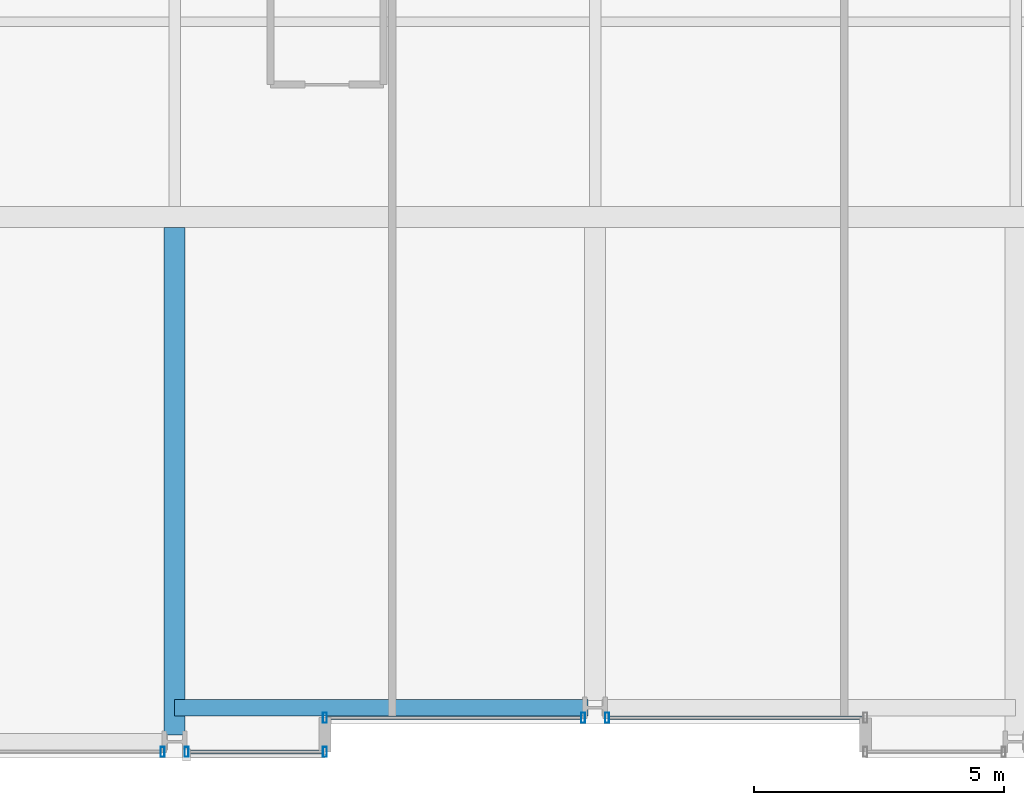
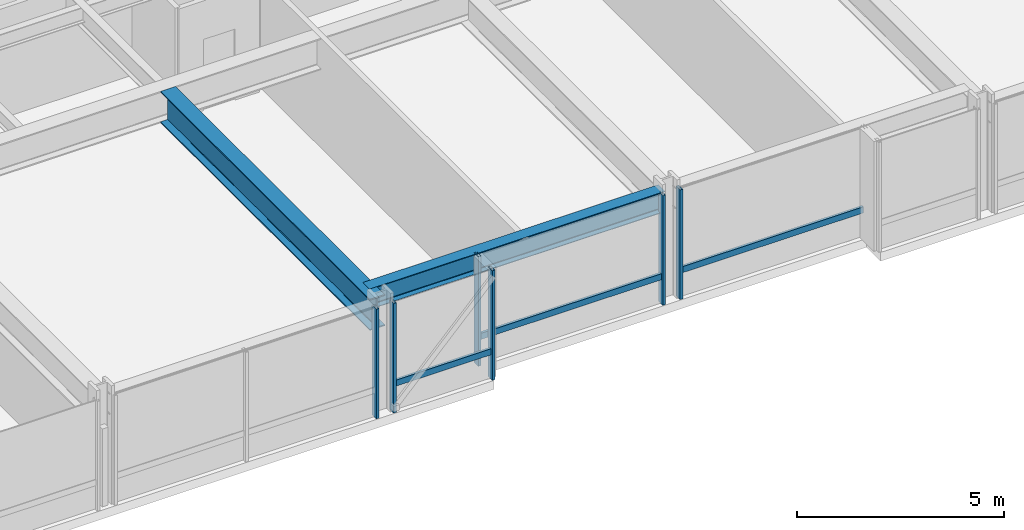
# One storey, part 5 of 38: 9 members, 2 beams, 4 elements without a shape of their own.
"""IFC4 building model written with IfcOpenShell, lengths in metres."""

from ifc_helpers import new_model, si_unit, direction, frame, origin, origin_2d, place, context, subcontext, project, spatial, hollow_rectangle, i_section, extrude, material, layer, layer_set, material_profile, profile_set, type_object, element, aggregate, save


model = new_model("IFC4")

# Units and contexts
model_context = context("Model", 3, precision=1e-05, world=origin(), true_north=direction((0.0, 1.0)))
body_context = subcontext(model_context, "Body", "Model", "MODEL_VIEW")
ifc_project = project(units=[si_unit("LENGTHUNIT", "METRE"), si_unit("AREAUNIT", "SQUARE_METRE"), si_unit("VOLUMEUNIT", "CUBIC_METRE"), si_unit("PLANEANGLEUNIT", "RADIAN"), si_unit("MASSUNIT", "GRAM", prefix="KILO")], contexts=[model_context])

# Site, building, storey
site_placement = place(None, origin())
site = spatial("IfcSite", under=ifc_project, at=site_placement, CompositionType="ELEMENT")
building_placement = place(site_placement, origin())
building = spatial("IfcBuilding", under=site, at=building_placement, Name="Drelvath Grand Hotel", CompositionType="ELEMENT")
storey_placement = place(building_placement, frame((0.0, 0.0, 47.199951171875)))
storey = spatial("IfcBuildingStorey", under=building, at=storey_placement, Name="L10", CompositionType="ELEMENT", Elevation=47.199951171875)

# Curtain wall, member
ifc_material_1 = material(Name="Warm Bronze Anodised Aluminium Frame", Category="aluminium")
ifc_layer = layer(ifc_material_1, 0.199951171875)
ifc_layer_set = layer_set([ifc_layer], Name="Warm Bronze Anodised Aluminium Frame")
curtain_wall_type = type_object("IfcCurtainWallType", Name="Stick Curtain Wall CW-02 Warm Bronze Low-Rise", PredefinedType="NOTDEFINED", material=ifc_layer_set)
curtain_wall_1_placement = place(storey_placement, origin())
curtain_wall_1 = element("IfcCurtainWall", 1, at=curtain_wall_1_placement, inside=storey, type_object=curtain_wall_type, Name="L10 CW-02 Curtain Wall CW02-L10-SM1", PredefinedType="NOTDEFINED")
ifc_material_profile_1 = material_profile(ifc_material_1, hollow_rectangle(XDim=0.074951171875, YDim=0.179931640625, WallThickness=0.0048828125, at=origin_2d()), Name="HSS180X75X5")
ifc_profile_set_1 = profile_set([ifc_material_profile_1], Name="Warm Bronze Anodised Aluminium Frame")
member_type_1 = type_object("IfcMemberType", Name="Curtain Wall Horizontal Transom CW-02 HSS180X75X5", PredefinedType="USERDEFINED", material=ifc_profile_set_1)
member_1_placement = place(storey_placement, frame((-0.281005859375, 0.800048828125, 0.81005859375), z_axis=(-1.0, 0.0, 0.0), x_axis=(0.0, -1.0, 0.0)))
member_1 = element("IfcMember", 2, at=member_1_placement, type_object=member_type_1, Name="CW02-L10-SM1 Sill Transom", ObjectType="TRANSOM", PredefinedType="USERDEFINED", context=body_context, shape_type="SweptSolid", body=[
    extrude(hollow_rectangle(XDim=0.074951171875, YDim=0.179931640625, WallThickness=0.0048828125, at=origin_2d()), origin(), (0.0, 0.0, 1.0), 5.0791015625),
])

curtain_wall_2_placement = place(storey_placement, origin())
curtain_wall_2 = element("IfcCurtainWall", 3, at=curtain_wall_2_placement, inside=storey, type_object=curtain_wall_type, Name="L10 CW-02 Curtain Wall CW02-L10-SM2", PredefinedType="NOTDEFINED")
member_2_placement = place(storey_placement, frame((5.360107421875, 0.800048828125, 0.81005859375), z_axis=(-1.0, 0.0, 0.0), x_axis=(0.0, -1.0, 0.0)))
member_2 = element("IfcMember", 4, at=member_2_placement, type_object=member_type_1, Name="CW02-L10-SM2 Sill Transom", ObjectType="TRANSOM", PredefinedType="USERDEFINED", context=body_context, shape_type="SweptSolid", body=[
    extrude(hollow_rectangle(XDim=0.074951171875, YDim=0.179931640625, WallThickness=0.0048828125, at=origin_2d()), origin(), (0.0, 0.0, 1.0), 5.0791015625),
])

curtain_wall_3_placement = place(storey_placement, origin())
curtain_wall_3 = element("IfcCurtainWall", 5, at=curtain_wall_3_placement, inside=storey, type_object=curtain_wall_type, Name="L10 CW-02 Curtain Wall CW02-L10-SW3", PredefinedType="NOTDEFINED")
member_3_placement = place(storey_placement, frame((-5.43994140625, 0.1201171875, 0.81005859375), z_axis=(-1.0, 0.0, 0.0), x_axis=(0.0, -1.0, 0.0)))
member_3 = element("IfcMember", 6, at=member_3_placement, type_object=member_type_1, Name="CW02-L10-SW3 Sill Transom", ObjectType="TRANSOM", PredefinedType="USERDEFINED", context=body_context, shape_type="SweptSolid", body=[
    extrude(hollow_rectangle(XDim=0.074951171875, YDim=0.179931640625, WallThickness=0.0048828125, at=origin_2d()), origin(), (0.0, 0.0, 1.0), 2.67919921875),
])

# Member
ifc_material_profile_2 = material_profile(ifc_material_1, hollow_rectangle(XDim=0.080078125, YDim=0.199951171875, WallThickness=0.0048828125, at=origin_2d()), Name="HSS200X80X5")
ifc_profile_set_2 = profile_set([ifc_material_profile_2], Name="Warm Bronze Anodised Aluminium Frame")
member_type_2 = type_object("IfcMemberType", Name="Curtain Wall Vertical Mullion CW-02 HSS200X80X5", PredefinedType="MULLION", material=ifc_profile_set_2)
member_4_placement = place(storey_placement, frame((-0.240966796875, 0.800048828125, 0.0), z_axis=(0.0, 0.0, 1.0), x_axis=(1.0, 0.0, 0.0)))
member_4 = element("IfcMember", 7, at=member_4_placement, type_object=member_type_2, Name="CW02-L10-SM1 Mullion 1", PredefinedType="MULLION", context=body_context, shape_type="SweptSolid", body=[
    extrude(hollow_rectangle(XDim=0.080078125, YDim=0.199951171875, WallThickness=0.0048828125, at=origin_2d()), origin(), (0.0, 0.0, 1.0), 3.239990234375),
])

member_5_placement = place(storey_placement, frame((-5.39990234375, 0.800048828125, 0.0), z_axis=(0.0, 0.0, 1.0), x_axis=(1.0, 0.0, 0.0)))
member_5 = element("IfcMember", 8, at=member_5_placement, type_object=member_type_2, Name="CW02-L10-SM1 Mullion 2", PredefinedType="MULLION", context=body_context, shape_type="SweptSolid", body=[
    extrude(hollow_rectangle(XDim=0.080078125, YDim=0.199951171875, WallThickness=0.0048828125, at=origin_2d()), origin(), (0.0, 0.0, 1.0), 3.239990234375),
])

aggregate(curtain_wall_1, [member_4, member_5, member_1])

member_6_placement = place(storey_placement, frame((0.240966796875, 0.800048828125, 0.0), z_axis=(0.0, 0.0, 1.0), x_axis=(1.0, 0.0, 0.0)))
member_6 = element("IfcMember", 9, at=member_6_placement, type_object=member_type_2, Name="CW02-L10-SM2 Mullion 2", PredefinedType="MULLION", context=body_context, shape_type="SweptSolid", body=[
    extrude(hollow_rectangle(XDim=0.080078125, YDim=0.199951171875, WallThickness=0.0048828125, at=origin_2d()), origin(), (0.0, 0.0, 1.0), 3.239990234375),
])

aggregate(curtain_wall_2, [member_6, member_2])

# Curtain wall, member
curtain_wall_4_placement = place(storey_placement, origin())
curtain_wall_4 = element("IfcCurtainWall", 10, at=curtain_wall_4_placement, inside=storey, type_object=curtain_wall_type, Name="L10 CW-02 Curtain Wall CW02-L10-SW2", PredefinedType="NOTDEFINED")
member_7_placement = place(storey_placement, frame((-8.640869140625, 0.1201171875, 0.0), z_axis=(0.0, 0.0, 1.0), x_axis=(1.0, 0.0, 0.0)))
member_7 = element("IfcMember", 11, at=member_7_placement, type_object=member_type_2, Name="CW02-L10-SW2 Mullion 1", PredefinedType="MULLION", context=body_context, shape_type="SweptSolid", body=[
    extrude(hollow_rectangle(XDim=0.080078125, YDim=0.199951171875, WallThickness=0.0048828125, at=origin_2d()), origin(), (0.0, 0.0, 1.0), 3.239990234375),
])
aggregate(curtain_wall_4, [member_7])

# Member
member_8_placement = place(storey_placement, frame((-5.39990234375, 0.1201171875, 0.0), z_axis=(0.0, 0.0, 1.0), x_axis=(1.0, 0.0, 0.0)))
member_8 = element("IfcMember", 12, at=member_8_placement, type_object=member_type_2, Name="CW02-L10-SW3 Mullion 1", PredefinedType="MULLION", context=body_context, shape_type="SweptSolid", body=[
    extrude(hollow_rectangle(XDim=0.080078125, YDim=0.199951171875, WallThickness=0.0048828125, at=origin_2d()), origin(), (0.0, 0.0, 1.0), 3.239990234375),
])

member_9_placement = place(storey_placement, frame((-8.1591796875, 0.1201171875, 0.0), z_axis=(0.0, 0.0, 1.0), x_axis=(1.0, 0.0, 0.0)))
member_9 = element("IfcMember", 13, at=member_9_placement, type_object=member_type_2, Name="CW02-L10-SW3 Mullion 2", PredefinedType="MULLION", context=body_context, shape_type="SweptSolid", body=[
    extrude(hollow_rectangle(XDim=0.080078125, YDim=0.199951171875, WallThickness=0.0048828125, at=origin_2d()), origin(), (0.0, 0.0, 1.0), 3.239990234375),
])

aggregate(curtain_wall_3, [member_8, member_9, member_3])

# Beams
ifc_material_2 = material(Name="Steel ASTM A992 Gr 50", Category="steel")
ifc_material_profile_3 = material_profile(ifc_material_2, i_section(OverallWidth=0.323974609375, OverallDepth=0.611083984375, WebThickness=0.0126953125, FlangeThickness=0.01904296875, FilletRadius=0.02197265625, at=origin_2d()), Name="W24X104")
ifc_profile_set_3 = profile_set([ifc_material_profile_3], Name="Steel ASTM A992 Gr 50")
beam_type_1 = type_object("IfcBeamType", Name="Perimeter Spandrel Beam W24X104", PredefinedType="SPANDREL", material=ifc_profile_set_3)
beam_1_placement = place(storey_placement, frame((-8.39990234375, 1.0, 2.9345703125), z_axis=(1.0, 0.0, 0.0), x_axis=(0.0, 1.0, 0.0)))
element("IfcBeam", 14, at=beam_1_placement, inside=storey, type_object=beam_type_1, Name="L10 Spandrel South Mid W", PredefinedType="SPANDREL", context=body_context, shape_type="SweptSolid", body=[
    extrude(i_section(OverallWidth=0.323974609375, OverallDepth=0.611083984375, WebThickness=0.0126953125, FlangeThickness=0.01904296875, FilletRadius=0.02197265625, at=origin_2d()), origin(), (0.0, 0.0, 1.0), 8.260009765625),
])
ifc_material_profile_4 = material_profile(ifc_material_2, i_section(OverallWidth=0.418212890625, OverallDepth=0.926513671875, WebThickness=0.019287109375, FlangeThickness=0.031982421875, FilletRadius=0.028076171875, at=origin_2d()), Name="W36X231")
ifc_profile_set_4 = profile_set([ifc_material_profile_4], Name="Steel ASTM A992 Gr 50")
beam_type_2 = type_object("IfcBeamType", Name="Primary Floor Girder W36X231", PredefinedType="BEAM", material=ifc_profile_set_4)
beam_2_placement = place(storey_placement, frame((-8.39990234375, 0.4599609375, 2.77685546875), z_axis=(0.0, 1.0, 0.0), x_axis=(-1.0, 0.0, 0.0)))
element("IfcBeam", 15, at=beam_2_placement, inside=storey, type_object=beam_type_2, Name="L10 South Wing Girder 4", PredefinedType="BEAM", context=body_context, shape_type="SweptSolid", body=[
    extrude(i_section(OverallWidth=0.418212890625, OverallDepth=0.926513671875, WebThickness=0.019287109375, FlangeThickness=0.031982421875, FilletRadius=0.028076171875, at=origin_2d()), origin(), (0.0, 0.0, 1.0), 10.130859375),
])

save(model, "model.ifc")
